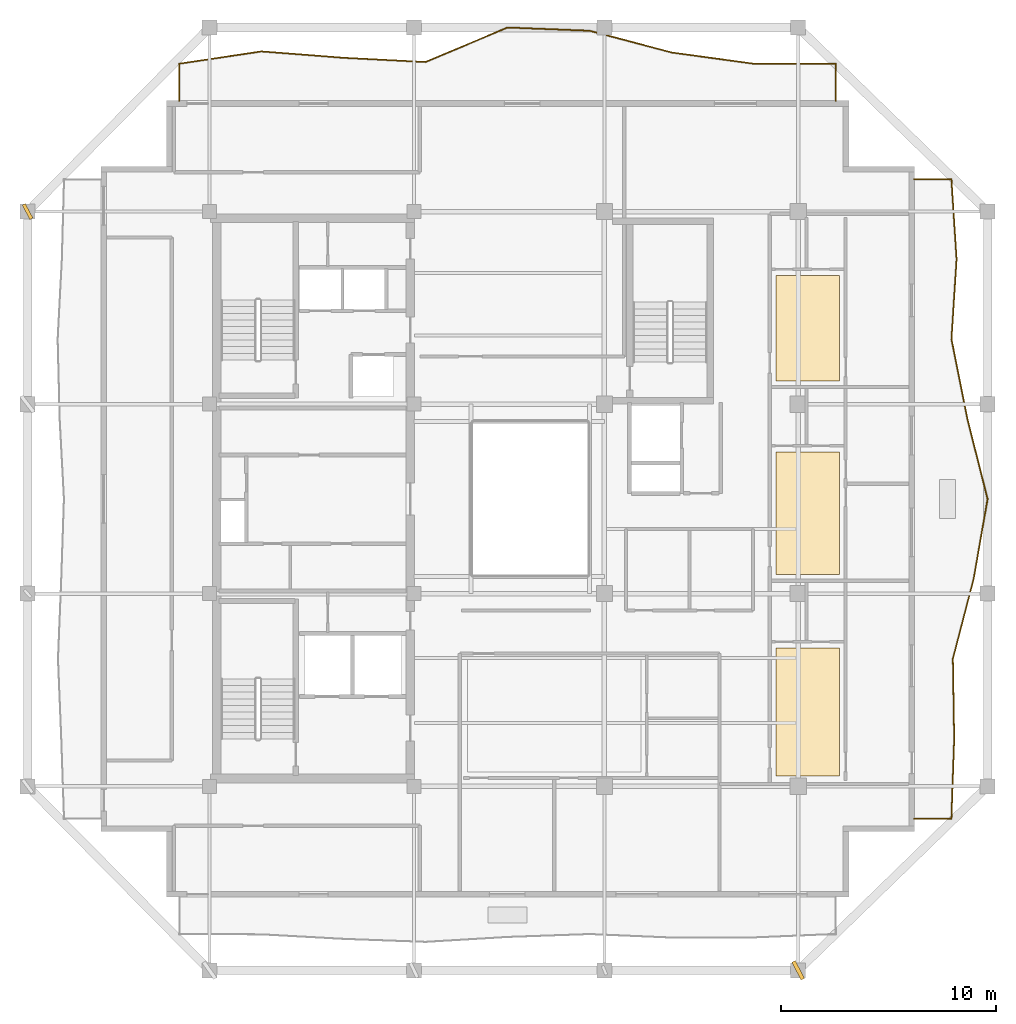
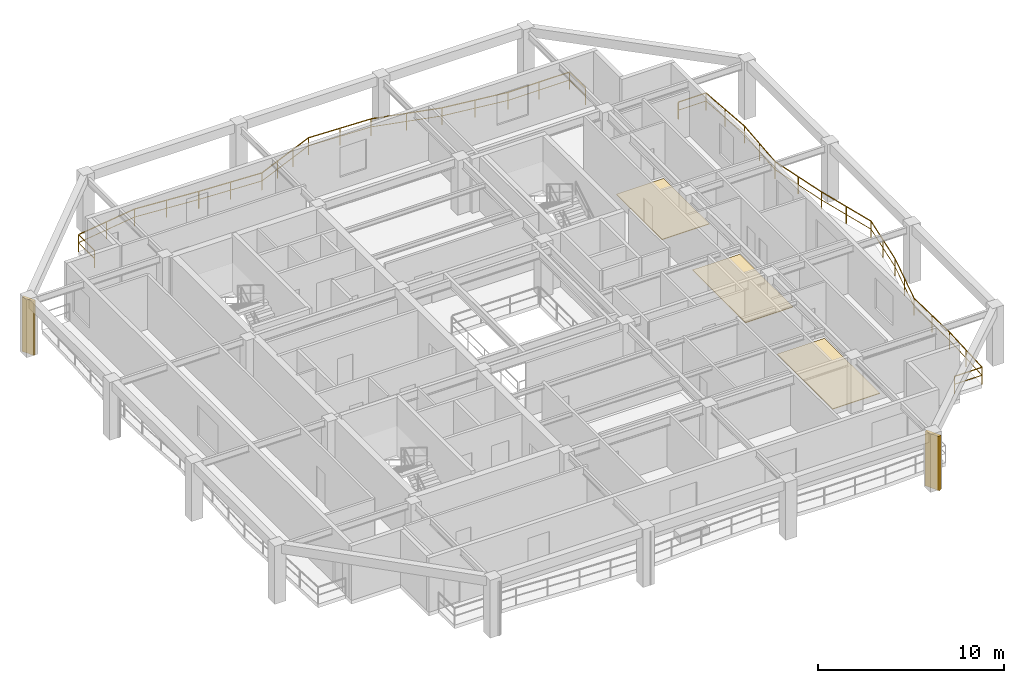
# One storey, part 9 of 10: 3 coverings, 2 railings, 2 shading devices.
"""IFC4 building model written with IfcOpenShell, lengths in metres."""

import ifcopenshell
import ifcopenshell.guid

model = None  # the IFC model being written
_history = None  # IfcOwnerHistory: only IFC2X3 demands one
_inside = {}  # id of a spatial element -> (the spatial element, [elements in it])
_under = {}  # id of a project, library or spatial element -> (it, [spatial elements below it])
_declared = {}  # id of a project -> (the project, [libraries it declares])
_typed = {}  # id of a type object -> (the type object, [elements of that type])
_made_of = {}  # id of a material, layer set ... -> (it, [elements and type objects made of it])


def new_model(schema):
    """Start an empty IFC model of exactly this schema.

    Asked for "IFC4X3", IfcOpenShell would pick the latest addendum, in which some entities
    have other attributes; the version numbers below select the first issue.
    IFC2X3 requires an IfcOwnerHistory on every rooted entity: one is made here for all.
    """
    global model, _history
    if schema == "IFC4X3":
        model = ifcopenshell.file(schema_version=(4, 3, 0, 0))
    else:
        model = ifcopenshell.file(schema=schema)
    _inside.clear()
    _under.clear()
    _declared.clear()
    _typed.clear()
    _made_of.clear()
    _history = None
    if model.schema == "IFC2X3":
        org = make("IfcOrganization", Name="unknown")
        user = make(
            "IfcPersonAndOrganization",
            ThePerson=make("IfcPerson", FamilyName="unknown"),
            TheOrganization=org,
        )
        app = make(
            "IfcApplication",
            ApplicationDeveloper=org,
            Version="unknown",
            ApplicationFullName="unknown",
            ApplicationIdentifier="unknown",
        )
        _history = make(
            "IfcOwnerHistory",
            OwningUser=user,
            OwningApplication=app,
            ChangeAction="ADDED",
            CreationDate=0,
        )
    return model


def make(cls, **values):
    """One entity of the class cls with the attributes given. An attribute that is None is left unset."""
    return model.create_entity(
        cls, **{name: value for name, value in values.items() if value is not None}
    )


def rooted(cls, **values):
    """An entity with a GlobalId (a new one), such as an element, a storey or a relation."""
    return make(cls, GlobalId=ifcopenshell.guid.new(), OwnerHistory=_history, **values)


def si_unit(unit_type, name, prefix=None):
    """IfcSIUnit, for example si_unit("LENGTHUNIT", "METRE", prefix="MILLI")."""
    return make("IfcSIUnit", UnitType=unit_type, Prefix=prefix, Name=name)


def assignment(units):
    """IfcUnitAssignment: the units of a project."""
    return None if units is None else make("IfcUnitAssignment", Units=units)


def point(xyz):
    """IfcCartesianPoint."""
    return None if xyz is None else make("IfcCartesianPoint", Coordinates=xyz)


def direction(xyz):
    """IfcDirection."""
    return None if xyz is None else make("IfcDirection", DirectionRatios=xyz)


def frame(location, z_axis=None, x_axis=None):
    """IfcAxis2Placement3D, a coordinate frame: its origin and axes. An axis left out is left unset."""
    return make(
        "IfcAxis2Placement3D",
        Location=point(location),
        Axis=direction(z_axis),
        RefDirection=direction(x_axis),
    )


def frame_2d(location, x_axis=None):
    """IfcAxis2Placement2D, a coordinate frame in the plane: its origin and x axis."""
    return make(
        "IfcAxis2Placement2D", Location=point(location), RefDirection=direction(x_axis)
    )


def origin():
    """The frame at (0, 0, 0) with its axes left unset."""
    return frame((0.0, 0.0, 0.0))


def origin_2d():
    """The frame at (0, 0) in the plane with its x axis left unset."""
    return frame_2d((0.0, 0.0))


def place(relative_to, where):
    """IfcLocalPlacement: puts the frame where relative to a parent placement (None: the world)."""
    return make(
        "IfcLocalPlacement", PlacementRelTo=relative_to, RelativePlacement=where
    )


def context(
    kind, dimensions, precision=None, world=None, true_north=None, identifier=None
):
    """IfcGeometricRepresentationContext, for example the 3D "Model" context."""
    return make(
        "IfcGeometricRepresentationContext",
        ContextIdentifier=identifier,
        ContextType=kind,
        CoordinateSpaceDimension=dimensions,
        Precision=precision,
        WorldCoordinateSystem=world,
        TrueNorth=true_north,
    )


def subcontext(parent, identifier, kind, view, scale=None):
    """IfcGeometricRepresentationSubContext, for example "Body" below "Model"."""
    return make(
        "IfcGeometricRepresentationSubContext",
        ContextIdentifier=identifier,
        ContextType=kind,
        ParentContext=parent,
        TargetScale=scale,
        TargetView=view,
    )


def project(units=None, contexts=None):
    """IfcProject with its units and contexts."""
    return rooted(
        "IfcProject",
        Name="project",
        RepresentationContexts=contexts,
        UnitsInContext=assignment(units),
    )


def spatial(cls, under=None, at=None, **own):
    """A site, building, storey or space (cls), placed at a placement, below another one or the project."""
    s = rooted(cls, ObjectPlacement=at, **own)
    if under is not None:
        _under.setdefault(under.id(), (under, []))[1].append(s)
    return s


def polyline(points):
    """IfcPolyline through the points."""
    return make("IfcPolyline", Points=[point(p) for p in points])


def profile(cls, at=None, kind="AREA", **sizes):
    """A parametric profile (cls). Its sizes go by their IFC names, for example OverallWidth=200.0."""
    return make(cls, ProfileType=kind, Position=at, **sizes)


def rectangle(**sizes):
    """IfcRectangleProfileDef."""
    return profile("IfcRectangleProfileDef", **sizes)


def outline(outer, holes=None, kind="AREA"):
    """IfcArbitraryClosedProfileDef: a profile drawn as a closed curve; with holes, ...WithVoids."""
    if holes is None:
        return make("IfcArbitraryClosedProfileDef", ProfileType=kind, OuterCurve=outer)
    return make(
        "IfcArbitraryProfileDefWithVoids",
        ProfileType=kind,
        OuterCurve=outer,
        InnerCurves=holes,
    )


def extrude(swept, where, along, depth):
    """IfcExtrudedAreaSolid: the profile swept, set in the frame where, extruded along a direction by depth."""
    return make(
        "IfcExtrudedAreaSolid",
        SweptArea=swept,
        Position=where,
        ExtrudedDirection=direction(along),
        Depth=depth,
    )


def shape(context_of_items, identifier, shape_type, items):
    """IfcShapeRepresentation: the items that make up one representation, for example the "Body"."""
    return make(
        "IfcShapeRepresentation",
        ContextOfItems=context_of_items,
        RepresentationIdentifier=identifier,
        RepresentationType=shape_type,
        Items=items,
    )


def material(Name=None, Category=None):
    """IfcMaterial."""
    return make("IfcMaterial", Name=Name, Category=Category)


def layer(
    of_material, thickness, ventilated=None, Name=None, Category=None, Priority=None
):
    """IfcMaterialLayer: one layer of a wall or slab, of a material (None: an air gap)."""
    return make(
        "IfcMaterialLayer",
        Material=of_material,
        LayerThickness=thickness,
        IsVentilated=ventilated,
        Name=Name,
        Category=Category,
        Priority=Priority,
    )


def layer_set(layers, Name=None):
    """IfcMaterialLayerSet."""
    return make("IfcMaterialLayerSet", MaterialLayers=layers, LayerSetName=Name)


def made_of(thing, what):
    """Note that an element or type object is made of a material, layer set ...; save() writes the relation."""
    if what is not None:
        _made_of.setdefault(what.id(), (what, []))[1].append(thing)
    return thing


def type_object(cls, material=None, **own):
    """A type object (cls), such as IfcWallType, which elements share."""
    return made_of(rooted(cls, **own), material)


def element(
    cls,
    number,
    at=None,
    inside=None,
    cuts=None,
    type_object=None,
    material=None,
    context=None,
    identifier="Body",
    shape_type=None,
    held_by="IfcProductDefinitionShape",
    body=None,
    shapes=None,
    **own,
):
    """One element of the class cls, such as IfcWall. Its Tag is "e" and its number.

    at: its placement. inside: the storey or other place that contains it. cuts: it is an
    opening in that element (IfcRelVoidsElement). A single representation is given by context,
    identifier, shape_type and body (its items); several are given by shapes. held_by: the class
    of the entity that holds the representations. save() writes the other relations.
    """
    e = rooted(cls, Tag="e%d" % number, ObjectPlacement=at, **own)
    if body is not None:
        shapes = [shape(context, identifier, shape_type, body)]
    if shapes is not None:
        e.Representation = make(held_by, Representations=shapes)
    if inside is not None:
        _inside.setdefault(inside.id(), (inside, []))[1].append(e)
    if cuts is not None:
        rooted(
            "IfcRelVoidsElement", RelatingBuildingElement=cuts, RelatedOpeningElement=e
        )
    if type_object is not None:
        _typed.setdefault(type_object.id(), (type_object, []))[1].append(e)
    return made_of(e, material)


def aggregate(whole, parts):
    """IfcRelAggregates: a whole, such as a stair, and the parts it consists of."""
    return rooted("IfcRelAggregates", RelatingObject=whole, RelatedObjects=parts)


def save(model, path):
    """Write the relations noted so far, then the file.

    IfcRelAggregates (storeys below a building ...), IfcRelContainedInSpatialStructure (elements
    in a storey), IfcRelDefinesByType, IfcRelAssociatesMaterial and IfcRelDeclares: one each for
    every whole, place, type object, material and project.
    """
    for whole, parts in _under.values():
        aggregate(whole, parts)
    for where, things in _inside.values():
        rooted(
            "IfcRelContainedInSpatialStructure",
            RelatedElements=things,
            RelatingStructure=where,
        )
    for kind, things in _typed.values():
        rooted("IfcRelDefinesByType", RelatedObjects=things, RelatingType=kind)
    for what, things in _made_of.values():
        rooted("IfcRelAssociatesMaterial", RelatedObjects=things, RelatingMaterial=what)
    for by, libraries in _declared.values():
        rooted("IfcRelDeclares", RelatingContext=by, RelatedDefinitions=libraries)
    model.write(path)


model = new_model("IFC4")

# Units and contexts
model_context = context("Model", 3, precision=1e-05, world=origin(), true_north=direction((0.0, 1.0)))
body_context = subcontext(model_context, "Body", "Model", "MODEL_VIEW")
ifc_project = project(units=[si_unit("LENGTHUNIT", "METRE"), si_unit("AREAUNIT", "SQUARE_METRE"), si_unit("VOLUMEUNIT", "CUBIC_METRE"), si_unit("PLANEANGLEUNIT", "RADIAN"), si_unit("MASSUNIT", "GRAM", prefix="KILO")], contexts=[model_context])

# Site, building, storey
site_placement = place(None, origin())
site = spatial("IfcSite", under=ifc_project, at=site_placement, CompositionType="ELEMENT")
building_placement = place(site_placement, origin())
building = spatial("IfcBuilding", under=site, at=building_placement, Name="Kundavana Baori Tower", CompositionType="ELEMENT")
storey_placement = place(building_placement, frame((0.0, 0.0, 312.5)))
storey = spatial("IfcBuildingStorey", under=building, at=storey_placement, Name="L77", CompositionType="ELEMENT", Elevation=312.5)

# Coverings
ifc_material_1 = material(Name="Honed Kota Stone and Terrazzo Flooring", Category="masonry")
ifc_layer = layer(ifc_material_1, 0.0400390625, Name="COV-FLR-TERR-40")
ifc_layer_set = layer_set([ifc_layer], Name="Honed Kota Stone and Terrazzo Flooring")
covering_type = type_object("IfcCoveringType", Name="COV-FLR-TERR-40", PredefinedType="FLOORING", material=ifc_layer_set)
covering_1_placement = place(storey_placement, origin())
element("IfcCovering", 1, at=covering_1_placement, inside=storey, type_object=covering_type, Name="L77 Room Finished Stone Flooring 2", PredefinedType="FLOORING", context=body_context, shape_type="SweptSolid", body=[
    extrude(outline(polyline([(41.780029296875, 15.72998046875), (44.719970703125, 15.72998046875), (44.719970703125, 21.679931640625), (41.780029296875, 21.679931640625), (41.780029296875, 15.72998046875)])), origin(), (0.0, 0.0, 1.0), 0.0400390625),
])
covering_2_placement = place(storey_placement, origin())
element("IfcCovering", 2, at=covering_2_placement, inside=storey, type_object=covering_type, Name="L77 Room Finished Stone Flooring 3", PredefinedType="FLOORING", context=body_context, shape_type="SweptSolid", body=[
    extrude(outline(polyline([(41.780029296875, 25.080078125), (44.719970703125, 25.080078125), (44.719970703125, 30.7900390625), (41.780029296875, 30.7900390625), (41.780029296875, 25.080078125)])), origin(), (0.0, 0.0, 1.0), 0.0400390625),
])
covering_3_placement = place(storey_placement, origin())
element("IfcCovering", 3, at=covering_3_placement, inside=storey, type_object=covering_type, Name="L77 Room Finished Stone Flooring 4", PredefinedType="FLOORING", context=body_context, shape_type="SweptSolid", body=[
    extrude(outline(polyline([(41.780029296875, 34.080078125), (44.719970703125, 34.080078125), (44.719970703125, 38.989990234375), (41.780029296875, 38.989990234375), (41.780029296875, 34.080078125)])), origin(), (0.0, 0.0, 1.0), 0.0400390625),
])

# Railings
ifc_material_2 = material(Name="Architectural Patinated Bronze Metalwork")
railing_type = type_object("IfcRailingType", Name="RL-BAL-1150", PredefinedType="BALUSTRADE", material=ifc_material_2)
railing_1_placement = place(storey_placement, frame((48.199951171875, 43.449951171875, 0.0)))
element("IfcRailing", 4, at=railing_1_placement, inside=storey, type_object=railing_type, Name="L77 Loggia Balcony Balustrade E", PredefinedType="BALUSTRADE", context=body_context, shape_type="SweptSolid", body=[
    extrude(rectangle(XDim=0.048095703125, YDim=0.048095703125, at=origin_2d()), frame((0.0, 0.0, 1.1259765625), z_axis=(1.0, 0.0, 0.0), x_axis=(0.0, 1.0, 0.0)), (0.0, 0.0, 1.0), 1.719970703125),
    extrude(rectangle(XDim=0.03125, YDim=0.03125, at=origin_2d()), frame((0.0, 0.0, 0.597900390625), z_axis=(1.0, 0.0, 0.0), x_axis=(0.0, 1.0, 0.0)), (0.0, 0.0, 1.0), 1.719970703125),
    extrude(rectangle(XDim=0.048095703125, YDim=0.048095703125, at=origin_2d()), frame((1.719970703125, 0.0, 1.1259765625), z_axis=(0.064780769939, -0.997899519915, 0.0), x_axis=(0.997899519915, 0.064780769939, 0.0)), (0.0, 0.0, 1.0), 3.7197265625),
    extrude(rectangle(XDim=0.03125, YDim=0.03125, at=origin_2d()), frame((1.719970703125, 0.0, 0.597900390625), z_axis=(0.064780769939, -0.997899519915, 0.0), x_axis=(0.997899519915, 0.064780769939, 0.0)), (0.0, 0.0, 1.0), 3.7197265625),
    extrude(rectangle(XDim=0.048095703125, YDim=0.048095703125, at=origin_2d()), frame((1.9609375, -3.7119140625, 1.1259765625), z_axis=(-0.063910106669, -0.997955659469, 0.0), x_axis=(0.997955659469, -0.063910106669, 0.0)), (0.0, 0.0, 1.0), 3.720703125),
    extrude(rectangle(XDim=0.03125, YDim=0.03125, at=origin_2d()), frame((1.9609375, -3.7119140625, 0.597900390625), z_axis=(-0.063910106669, -0.997955659469, 0.0), x_axis=(0.997955659469, -0.063910106669, 0.0)), (0.0, 0.0, 1.0), 3.720703125),
    extrude(rectangle(XDim=0.048095703125, YDim=0.048095703125, at=origin_2d()), frame((1.72314453125, -7.425048828125, 1.1259765625), z_axis=(0.195458824017, -0.980711908826, 0.0), x_axis=(0.980711908826, 0.195458824017, 0.0)), (0.0, 0.0, 1.0), 3.785888671875),
    extrude(rectangle(XDim=0.03125, YDim=0.03125, at=origin_2d()), frame((1.72314453125, -7.425048828125, 0.597900390625), z_axis=(0.195458824017, -0.980711908826, 0.0), x_axis=(0.980711908826, 0.195458824017, 0.0)), (0.0, 0.0, 1.0), 3.785888671875),
    extrude(rectangle(XDim=0.048095703125, YDim=0.048095703125, at=origin_2d()), frame((2.463134765625, -11.137939453125, 1.1259765625), z_axis=(0.244755744904, -0.969584769546, 0.0), x_axis=(0.969584769546, 0.244755744904, 0.0)), (0.0, 0.0, 1.0), 3.828369140625),
    extrude(rectangle(XDim=0.03125, YDim=0.03125, at=origin_2d()), frame((2.463134765625, -11.137939453125, 0.597900390625), z_axis=(0.244755744904, -0.969584769546, 0.0), x_axis=(0.969584769546, 0.244755744904, 0.0)), (0.0, 0.0, 1.0), 3.828369140625),
    extrude(rectangle(XDim=0.048095703125, YDim=0.048095703125, at=origin_2d()), frame((3.400146484375, -14.849853515625, 1.1259765625), z_axis=(-0.171193507147, -0.985237424741, 0.0), x_axis=(0.985237424741, -0.171193507147, 0.0)), (0.0, 0.0, 1.0), 3.767822265625),
    extrude(rectangle(XDim=0.03125, YDim=0.03125, at=origin_2d()), frame((3.400146484375, -14.849853515625, 0.597900390625), z_axis=(-0.171193507147, -0.985237424741, 0.0), x_axis=(0.985237424741, -0.171193507147, 0.0)), (0.0, 0.0, 1.0), 3.767822265625),
    extrude(rectangle(XDim=0.048095703125, YDim=0.048095703125, at=origin_2d()), frame((2.755126953125, -18.56201171875, 1.1259765625), z_axis=(-0.251807899122, -0.967777237767, 0.0), x_axis=(0.967777237767, -0.251807899122, 0.0)), (0.0, 0.0, 1.0), 3.83642578125),
    extrude(rectangle(XDim=0.03125, YDim=0.03125, at=origin_2d()), frame((2.755126953125, -18.56201171875, 0.597900390625), z_axis=(-0.251807899122, -0.967777237767, 0.0), x_axis=(0.967777237767, -0.251807899122, 0.0)), (0.0, 0.0, 1.0), 3.83642578125),
    extrude(rectangle(XDim=0.048095703125, YDim=0.048095703125, at=origin_2d()), frame((1.7890625, -22.27490234375, 1.1259765625), z_axis=(0.01643541537, -0.999864929439, 0.0), x_axis=(0.999864929439, 0.01643541537, 0.0)), (0.0, 0.0, 1.0), 3.713623046875),
    extrude(rectangle(XDim=0.03125, YDim=0.03125, at=origin_2d()), frame((1.7890625, -22.27490234375, 0.597900390625), z_axis=(0.01643541537, -0.999864929439, 0.0), x_axis=(0.999864929439, 0.01643541537, 0.0)), (0.0, 0.0, 1.0), 3.713623046875),
    extrude(rectangle(XDim=0.048095703125, YDim=0.048095703125, at=origin_2d()), frame((1.85009765625, -25.988037109375, 1.1259765625), z_axis=(-0.035035042293, -0.99938608446, 0.0), x_axis=(0.99938608446, -0.035035042293, 0.0)), (0.0, 0.0, 1.0), 3.714111328125),
    extrude(rectangle(XDim=0.03125, YDim=0.03125, at=origin_2d()), frame((1.85009765625, -25.988037109375, 0.597900390625), z_axis=(-0.035035042293, -0.99938608446, 0.0), x_axis=(0.99938608446, -0.035035042293, 0.0)), (0.0, 0.0, 1.0), 3.714111328125),
    extrude(rectangle(XDim=0.048095703125, YDim=0.048095703125, at=origin_2d()), frame((1.719970703125, -29.699951171875, 1.1259765625), z_axis=(-1.0, 0.0, 0.0), x_axis=(0.0, -1.0, 0.0)), (0.0, 0.0, 1.0), 1.719970703125),
    extrude(rectangle(XDim=0.03125, YDim=0.03125, at=origin_2d()), frame((1.719970703125, -29.699951171875, 0.597900390625), z_axis=(-1.0, 0.0, 0.0), x_axis=(0.0, -1.0, 0.0)), (0.0, 0.0, 1.0), 1.719970703125),
    extrude(rectangle(XDim=0.0419921875, YDim=0.0419921875, at=origin_2d()), origin(), (0.0, 0.0, 1.0), 1.101806640625),
    extrude(rectangle(XDim=0.0419921875, YDim=0.0419921875, at=origin_2d()), frame((1.719970703125, 0.0, 0.0)), (0.0, 0.0, 1.0), 1.101806640625),
    extrude(rectangle(XDim=0.0419921875, YDim=0.0419921875, at=origin_2d()), frame((1.84033203125, -1.85595703125, 0.0)), (0.0, 0.0, 1.0), 1.101806640625),
    extrude(rectangle(XDim=0.0419921875, YDim=0.0419921875, at=origin_2d()), frame((1.9609375, -3.7119140625, 0.0)), (0.0, 0.0, 1.0), 1.101806640625),
    extrude(rectangle(XDim=0.0419921875, YDim=0.0419921875, at=origin_2d()), frame((1.842041015625, -5.568359375, 0.0)), (0.0, 0.0, 1.0), 1.101806640625),
    extrude(rectangle(XDim=0.0419921875, YDim=0.0419921875, at=origin_2d()), frame((1.72314453125, -7.425048828125, 0.0)), (0.0, 0.0, 1.0), 1.101806640625),
    extrude(rectangle(XDim=0.0419921875, YDim=0.0419921875, at=origin_2d()), frame((2.09326171875, -9.281494140625, 0.0)), (0.0, 0.0, 1.0), 1.101806640625),
    extrude(rectangle(XDim=0.0419921875, YDim=0.0419921875, at=origin_2d()), frame((2.463134765625, -11.137939453125, 0.0)), (0.0, 0.0, 1.0), 1.101806640625),
    extrude(rectangle(XDim=0.0419921875, YDim=0.0419921875, at=origin_2d()), frame((2.931640625, -12.993896484375, 0.0)), (0.0, 0.0, 1.0), 1.101806640625),
    extrude(rectangle(XDim=0.0419921875, YDim=0.0419921875, at=origin_2d()), frame((3.400146484375, -14.849853515625, 0.0)), (0.0, 0.0, 1.0), 1.101806640625),
    extrude(rectangle(XDim=0.0419921875, YDim=0.0419921875, at=origin_2d()), frame((3.07763671875, -16.7060546875, 0.0)), (0.0, 0.0, 1.0), 1.101806640625),
    extrude(rectangle(XDim=0.0419921875, YDim=0.0419921875, at=origin_2d()), frame((2.755126953125, -18.56201171875, 0.0)), (0.0, 0.0, 1.0), 1.101806640625),
    extrude(rectangle(XDim=0.0419921875, YDim=0.0419921875, at=origin_2d()), frame((2.27197265625, -20.41845703125, 0.0)), (0.0, 0.0, 1.0), 1.101806640625),
    extrude(rectangle(XDim=0.0419921875, YDim=0.0419921875, at=origin_2d()), frame((1.7890625, -22.27490234375, 0.0)), (0.0, 0.0, 1.0), 1.101806640625),
    extrude(rectangle(XDim=0.0419921875, YDim=0.0419921875, at=origin_2d()), frame((1.819580078125, -24.13134765625, 0.0)), (0.0, 0.0, 1.0), 1.101806640625),
    extrude(rectangle(XDim=0.0419921875, YDim=0.0419921875, at=origin_2d()), frame((1.85009765625, -25.988037109375, 0.0)), (0.0, 0.0, 1.0), 1.101806640625),
    extrude(rectangle(XDim=0.0419921875, YDim=0.0419921875, at=origin_2d()), frame((1.78515625, -27.843994140625, 0.0)), (0.0, 0.0, 1.0), 1.101806640625),
    extrude(rectangle(XDim=0.0419921875, YDim=0.0419921875, at=origin_2d()), frame((1.719970703125, -29.699951171875, 0.0)), (0.0, 0.0, 1.0), 1.101806640625),
    extrude(rectangle(XDim=0.0419921875, YDim=0.0419921875, at=origin_2d()), frame((0.0, -29.699951171875, 0.0)), (0.0, 0.0, 1.0), 1.101806640625),
])
railing_2_placement = place(storey_placement, frame((14.050048828125, 47.10009765625, 0.0)))
element("IfcRailing", 5, at=railing_2_placement, inside=storey, type_object=railing_type, Name="L77 Loggia Balcony Balustrade N", PredefinedType="BALUSTRADE", context=body_context, shape_type="SweptSolid", body=[
    extrude(rectangle(XDim=0.048095703125, YDim=0.048095703125, at=origin_2d()), frame((0.0, 0.0, 1.1259765625), z_axis=(0.0, 1.0, 0.0), x_axis=(-1.0, 0.0, 0.0)), (0.0, 0.0, 1.0), 1.719970703125),
    extrude(rectangle(XDim=0.03125, YDim=0.03125, at=origin_2d()), frame((0.0, 0.0, 0.597900390625), z_axis=(0.0, 1.0, 0.0), x_axis=(-1.0, 0.0, 0.0)), (0.0, 0.0, 1.0), 1.719970703125),
    extrude(rectangle(XDim=0.048095703125, YDim=0.048095703125, at=origin_2d()), frame((0.0, 1.719970703125, 1.1259765625), z_axis=(0.988933565989, 0.148359030933, 0.0), x_axis=(-0.148359030933, 0.988933565989, 0.0)), (0.0, 0.0, 1.0), 3.855712890625),
    extrude(rectangle(XDim=0.03125, YDim=0.03125, at=origin_2d()), frame((0.0, 1.719970703125, 0.597900390625), z_axis=(0.988933565989, 0.148359030933, 0.0), x_axis=(-0.148359030933, 0.988933565989, 0.0)), (0.0, 0.0, 1.0), 3.855712890625),
    extrude(rectangle(XDim=0.048095703125, YDim=0.048095703125, at=origin_2d()), frame((3.81298828125, 2.2919921875, 1.1259765625), z_axis=(0.996995979617, -0.077453319026, 0.0), x_axis=(0.077453319026, 0.996995979617, 0.0)), (0.0, 0.0, 1.0), 3.823486328125),
    extrude(rectangle(XDim=0.03125, YDim=0.03125, at=origin_2d()), frame((3.81298828125, 2.2919921875, 0.597900390625), z_axis=(0.996995979617, -0.077453319026, 0.0), x_axis=(0.077453319026, 0.996995979617, 0.0)), (0.0, 0.0, 1.0), 3.823486328125),
    extrude(rectangle(XDim=0.048095703125, YDim=0.048095703125, at=origin_2d()), frame((7.625, 1.995849609375, 1.1259765625), z_axis=(0.998667032082, -0.051615492179, 0.0), x_axis=(0.051615492179, 0.998667032082, 0.0)), (0.0, 0.0, 1.0), 3.817138671875),
    extrude(rectangle(XDim=0.03125, YDim=0.03125, at=origin_2d()), frame((7.625, 1.995849609375, 0.597900390625), z_axis=(0.998667032082, -0.051615492179, 0.0), x_axis=(0.051615492179, 0.998667032082, 0.0)), (0.0, 0.0, 1.0), 3.817138671875),
    extrude(rectangle(XDim=0.048095703125, YDim=0.048095703125, at=origin_2d()), frame((11.43701171875, 1.798828125, 1.1259765625), z_axis=(0.922014982255, 0.387154197313, 0.0), x_axis=(-0.387154197313, 0.922014982255, 0.0)), (0.0, 0.0, 1.0), 4.135498046875),
    extrude(rectangle(XDim=0.03125, YDim=0.03125, at=origin_2d()), frame((11.43701171875, 1.798828125, 0.597900390625), z_axis=(0.922014982255, 0.387154197313, 0.0), x_axis=(-0.387154197313, 0.922014982255, 0.0)), (0.0, 0.0, 1.0), 4.135498046875),
    extrude(rectangle(XDim=0.048095703125, YDim=0.048095703125, at=origin_2d()), frame((15.25, 3.39990234375, 1.1259765625), z_axis=(0.999237737537, -0.039037723831, 0.0), x_axis=(0.039037723831, 0.999237737537, 0.0)), (0.0, 0.0, 1.0), 3.81494140625),
    extrude(rectangle(XDim=0.03125, YDim=0.03125, at=origin_2d()), frame((15.25, 3.39990234375, 0.597900390625), z_axis=(0.999237737537, -0.039037723831, 0.0), x_axis=(0.039037723831, 0.999237737537, 0.0)), (0.0, 0.0, 1.0), 3.81494140625),
    extrude(rectangle(XDim=0.048095703125, YDim=0.048095703125, at=origin_2d()), frame((19.06201171875, 3.2509765625, 1.1259765625), z_axis=(0.966600679497, -0.256287195146, 0.0), x_axis=(0.256287195146, 0.966600679497, 0.0)), (0.0, 0.0, 1.0), 3.94482421875),
    extrude(rectangle(XDim=0.03125, YDim=0.03125, at=origin_2d()), frame((19.06201171875, 3.2509765625, 0.597900390625), z_axis=(0.966600679497, -0.256287195146, 0.0), x_axis=(0.256287195146, 0.966600679497, 0.0)), (0.0, 0.0, 1.0), 3.94482421875),
    extrude(rectangle(XDim=0.048095703125, YDim=0.048095703125, at=origin_2d()), frame((22.875, 2.239990234375, 1.1259765625), z_axis=(0.990823216028, -0.135164176389, 0.0), x_axis=(0.135164176389, 0.990823216028, 0.0)), (0.0, 0.0, 1.0), 3.847412109375),
    extrude(rectangle(XDim=0.03125, YDim=0.03125, at=origin_2d()), frame((22.875, 2.239990234375, 0.597900390625), z_axis=(0.990823216028, -0.135164176389, 0.0), x_axis=(0.135164176389, 0.990823216028, 0.0)), (0.0, 0.0, 1.0), 3.847412109375),
    extrude(rectangle(XDim=0.048095703125, YDim=0.048095703125, at=origin_2d()), frame((26.68701171875, 1.719970703125, 1.1259765625), z_axis=(1.0, 0.0, 0.0), x_axis=(0.0, 1.0, 0.0)), (0.0, 0.0, 1.0), 3.81298828125),
    extrude(rectangle(XDim=0.03125, YDim=0.03125, at=origin_2d()), frame((26.68701171875, 1.719970703125, 0.597900390625), z_axis=(1.0, 0.0, 0.0), x_axis=(0.0, 1.0, 0.0)), (0.0, 0.0, 1.0), 3.81298828125),
    extrude(rectangle(XDim=0.048095703125, YDim=0.048095703125, at=origin_2d()), frame((30.5, 1.719970703125, 1.1259765625), z_axis=(0.0, -1.0, 0.0), x_axis=(1.0, 0.0, 0.0)), (0.0, 0.0, 1.0), 1.719970703125),
    extrude(rectangle(XDim=0.03125, YDim=0.03125, at=origin_2d()), frame((30.5, 1.719970703125, 0.597900390625), z_axis=(0.0, -1.0, 0.0), x_axis=(1.0, 0.0, 0.0)), (0.0, 0.0, 1.0), 1.719970703125),
    extrude(rectangle(XDim=0.0419921875, YDim=0.0419921875, at=origin_2d()), origin(), (0.0, 0.0, 1.0), 1.101806640625),
    extrude(rectangle(XDim=0.0419921875, YDim=0.0419921875, at=origin_2d()), frame((0.0, 1.719970703125, 0.0)), (0.0, 0.0, 1.0), 1.101806640625),
    extrude(rectangle(XDim=0.0419921875, YDim=0.0419921875, at=origin_2d()), frame((1.906494140625, 2.005859375, 0.0)), (0.0, 0.0, 1.0), 1.101806640625),
    extrude(rectangle(XDim=0.0419921875, YDim=0.0419921875, at=origin_2d()), frame((3.81298828125, 2.2919921875, 0.0)), (0.0, 0.0, 1.0), 1.101806640625),
    extrude(rectangle(XDim=0.0419921875, YDim=0.0419921875, at=origin_2d()), frame((5.718994140625, 2.14404296875, 0.0)), (0.0, 0.0, 1.0), 1.101806640625),
    extrude(rectangle(XDim=0.0419921875, YDim=0.0419921875, at=origin_2d()), frame((7.625, 1.995849609375, 0.0)), (0.0, 0.0, 1.0), 1.101806640625),
    extrude(rectangle(XDim=0.0419921875, YDim=0.0419921875, at=origin_2d()), frame((9.531005859375, 1.8974609375, 0.0)), (0.0, 0.0, 1.0), 1.101806640625),
    extrude(rectangle(XDim=0.0419921875, YDim=0.0419921875, at=origin_2d()), frame((11.43701171875, 1.798828125, 0.0)), (0.0, 0.0, 1.0), 1.101806640625),
    extrude(rectangle(XDim=0.0419921875, YDim=0.0419921875, at=origin_2d()), frame((12.7080078125, 2.33251953125, 0.0)), (0.0, 0.0, 1.0), 1.101806640625),
    extrude(rectangle(XDim=0.0419921875, YDim=0.0419921875, at=origin_2d()), frame((13.97900390625, 2.8662109375, 0.0)), (0.0, 0.0, 1.0), 1.101806640625),
    extrude(rectangle(XDim=0.0419921875, YDim=0.0419921875, at=origin_2d()), frame((15.25, 3.39990234375, 0.0)), (0.0, 0.0, 1.0), 1.101806640625),
    extrude(rectangle(XDim=0.0419921875, YDim=0.0419921875, at=origin_2d()), frame((17.156005859375, 3.325439453125, 0.0)), (0.0, 0.0, 1.0), 1.101806640625),
    extrude(rectangle(XDim=0.0419921875, YDim=0.0419921875, at=origin_2d()), frame((19.06201171875, 3.2509765625, 0.0)), (0.0, 0.0, 1.0), 1.101806640625),
    extrude(rectangle(XDim=0.0419921875, YDim=0.0419921875, at=origin_2d()), frame((20.968505859375, 2.74560546875, 0.0)), (0.0, 0.0, 1.0), 1.101806640625),
    extrude(rectangle(XDim=0.0419921875, YDim=0.0419921875, at=origin_2d()), frame((22.875, 2.239990234375, 0.0)), (0.0, 0.0, 1.0), 1.101806640625),
    extrude(rectangle(XDim=0.0419921875, YDim=0.0419921875, at=origin_2d()), frame((24.781005859375, 1.97998046875, 0.0)), (0.0, 0.0, 1.0), 1.101806640625),
    extrude(rectangle(XDim=0.0419921875, YDim=0.0419921875, at=origin_2d()), frame((26.68701171875, 1.719970703125, 0.0)), (0.0, 0.0, 1.0), 1.101806640625),
    extrude(rectangle(XDim=0.0419921875, YDim=0.0419921875, at=origin_2d()), frame((28.593505859375, 1.719970703125, 0.0)), (0.0, 0.0, 1.0), 1.101806640625),
    extrude(rectangle(XDim=0.0419921875, YDim=0.0419921875, at=origin_2d()), frame((30.5, 1.719970703125, 0.0)), (0.0, 0.0, 1.0), 1.101806640625),
    extrude(rectangle(XDim=0.0419921875, YDim=0.0419921875, at=origin_2d()), frame((30.5, 0.0, 0.0)), (0.0, 0.0, 1.0), 1.101806640625),
])

# Shading devices
ifc_material_3 = material(Name="Red-Buff Dholpur Sandstone Cladding on Concrete C40/50", Category="masonry")
shading_device_type_1 = type_object("IfcShadingDeviceType", Name="SHD-FIN-750", PredefinedType="JALOUSIE", material=ifc_material_3)
shading_device_1_placement = place(storey_placement, frame((7.0, 41.949951171875, 0.0), z_axis=(0.0, 0.0, 1.0), x_axis=(0.881468349704, 0.472243103147, 0.0)))
element("IfcShadingDevice", 6, at=shading_device_1_placement, inside=storey, type_object=shading_device_type_1, Name="L77 Sweeping Dholpur Sandstone Facade Fin 8", PredefinedType="JALOUSIE", context=body_context, shape_type="SweptSolid", body=[
    extrude(rectangle(XDim=0.159912109375, YDim=0.75, at=origin_2d()), origin(), (0.0, 0.0, 1.0), 3.56005859375),
])
ifc_material_4 = material(Name="Red-Buff Dholpur Sandstone Cladding on Concrete C40/50", Category="masonry")
shading_device_type_2 = type_object("IfcShadingDeviceType", Name="SHD-FIN-920", PredefinedType="JALOUSIE", material=ifc_material_4)
shading_device_2_placement = place(storey_placement, frame((42.800048828125, 6.699951171875, 0.0), z_axis=(0.0, 0.0, 1.0), x_axis=(0.886930229333, 0.461903418797, 0.0)))
element("IfcShadingDevice", 7, at=shading_device_2_placement, inside=storey, type_object=shading_device_type_2, Name="L77 Sweeping Dholpur Sandstone Facade Fin 4", PredefinedType="JALOUSIE", context=body_context, shape_type="SweptSolid", body=[
    extrude(rectangle(XDim=0.179931640625, YDim=0.919921875, at=origin_2d()), origin(), (0.0, 0.0, 1.0), 3.56005859375),
])

save(model, "model.ifc")
